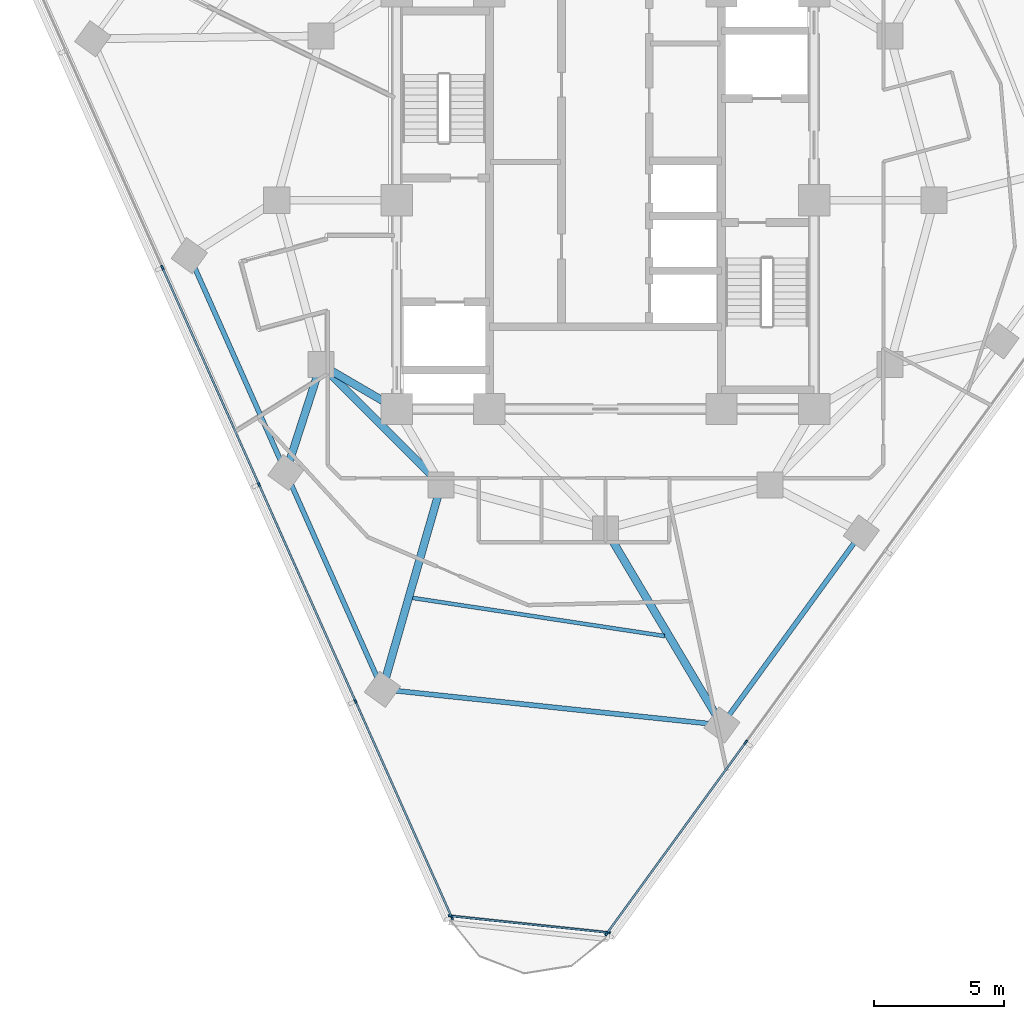
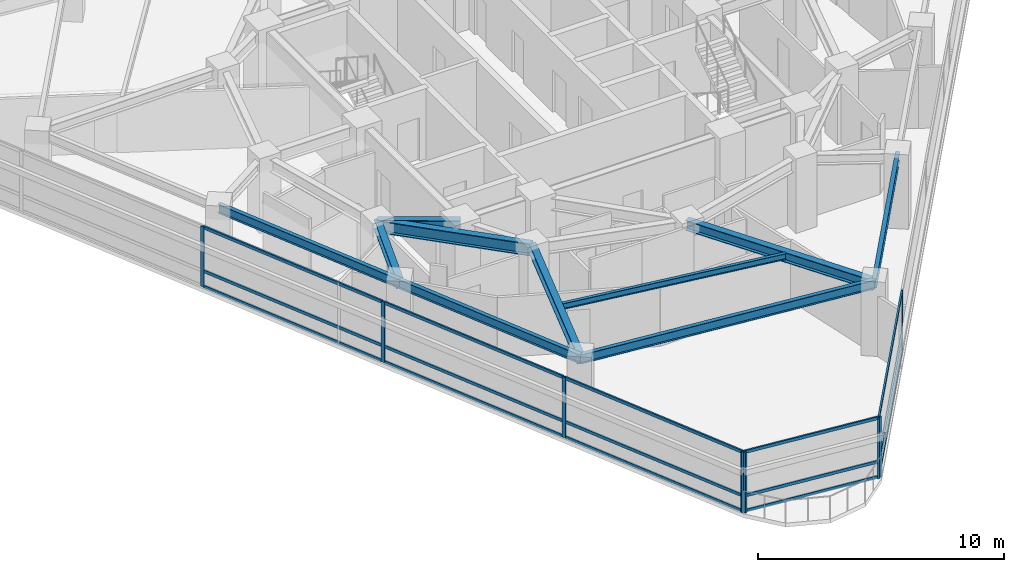
# One storey, part 2 of 14: 23 members, 10 beams, 3 elements without a shape of their own.
"""IFC4 building model written with IfcOpenShell, lengths in metres."""

from ifc_helpers import new_model, si_unit, direction, frame, origin, origin_2d, place, context, subcontext, project, spatial, rectangle, i_section, extrude, material, layer, layer_set, material_profile, profile_set, type_object, element, aggregate, save


model = new_model("IFC4")

# Units and contexts
model_context = context("Model", 3, precision=1e-05, world=origin(), true_north=direction((0.0, 1.0)))
body_context = subcontext(model_context, "Body", "Model", "MODEL_VIEW")
ifc_project = project(units=[si_unit("LENGTHUNIT", "METRE"), si_unit("AREAUNIT", "SQUARE_METRE"), si_unit("VOLUMEUNIT", "CUBIC_METRE"), si_unit("PLANEANGLEUNIT", "RADIAN"), si_unit("MASSUNIT", "GRAM", prefix="KILO")], contexts=[model_context])

# Site, building, storey
site_placement = place(None, origin())
site = spatial("IfcSite", under=ifc_project, at=site_placement, CompositionType="ELEMENT")
building_placement = place(site_placement, origin())
building = spatial("IfcBuilding", under=site, at=building_placement, Name="Terralouvre Media Tower", CompositionType="ELEMENT")
storey_placement = place(building_placement, frame((0.0, 0.0, 218.89990234375)))
storey = spatial("IfcBuildingStorey", under=building, at=storey_placement, Name="L56", CompositionType="ELEMENT", Elevation=218.89990234375)

# Beam
ifc_material_1 = material(Name="Structural steel S355J2", Category="steel")
ifc_material_profile_1 = material_profile(ifc_material_1, i_section(OverallWidth=0.14990234375, OverallDepth=0.300048828125, WebThickness=0.007080078125, FlangeThickness=0.0107421875, at=origin_2d()), Name="IPE 300")
ifc_profile_set_1 = profile_set([ifc_material_profile_1], Name="Structural steel S355J2")
beam_type_1 = type_object("IfcBeamType", Name="Composite Floor Joist J-IPE300 (IPE 300)", PredefinedType="JOIST", material=ifc_profile_set_1)
beam_1_placement = place(storey_placement, frame((-7.38818359375, -15.244140625, 3.35009765625), z_axis=(0.988745338641, -0.149608339726, 0.0), x_axis=(0.149608339726, 0.988745338641, 0.0)))
element("IfcBeam", 1, at=beam_1_placement, inside=storey, type_object=beam_type_1, Name="L56 Framing Beam JT-L56-01", PredefinedType="JOIST", context=body_context, shape_type="SweptSolid", body=[
    extrude(i_section(OverallWidth=0.14990234375, OverallDepth=0.300048828125, WebThickness=0.007080078125, FlangeThickness=0.0107421875, at=origin_2d()), origin(), (0.0, 0.0, 1.0), 9.763427734375),
])

# Curtain wall, members
ifc_material_2 = material(Name="Low-iron laminated double glazing with solar-control coating", Category="glass")
ifc_layer_1 = layer(ifc_material_2, 0.1650390625, Name="Upper Executive Tower Curtain Wall CW-05")
ifc_layer_set_1 = layer_set([ifc_layer_1], Name="Low-iron laminated double glazing with solar-control coating")
curtain_wall_type_1 = type_object("IfcCurtainWallType", Name="Upper Executive Tower Curtain Wall CW-05", PredefinedType="NOTDEFINED", material=ifc_layer_set_1)
curtain_wall_1_placement = place(storey_placement, origin())
curtain_wall_1 = element("IfcCurtainWall", 2, at=curtain_wall_1_placement, inside=storey, type_object=curtain_wall_type_1, Name="L56 Facade Curtain Wall F0", PredefinedType="NOTDEFINED")
ifc_material_3 = material(Name="Anodised extruded aluminium 6063-T6", Category="aluminium")
ifc_material_profile_2 = material_profile(ifc_material_3, rectangle(XDim=0.074951171875, YDim=0.14990234375, at=origin_2d()), Name="ALU 75x150")
ifc_profile_set_2 = profile_set([ifc_material_profile_2], Name="Anodised extruded aluminium 6063-T6")
member_type_1 = type_object("IfcMemberType", Name="Curtain-Wall Horizontal Transom TR-150", PredefinedType="USERDEFINED", material=ifc_profile_set_2)
member_1_placement = place(storey_placement, frame((0.072998046875, -28.0810546875, 0.03759765625), z_axis=(0.587774298355, 0.809024952763, 0.0), x_axis=(-0.809024952763, 0.587774298355, 0.0)))
member_1 = element("IfcMember", 3, at=member_1_placement, type_object=member_type_1, Name="CW-05 transom 1.1", ObjectType="TRANSOM", PredefinedType="USERDEFINED", context=body_context, shape_type="SweptSolid", body=[
    extrude(rectangle(XDim=0.074951171875, YDim=0.14990234375, at=origin_2d()), origin(), (0.0, 0.0, 1.0), 8.987548828125),
])
member_2_placement = place(storey_placement, frame((0.072998046875, -28.0810546875, 0.800048828125), z_axis=(0.587774298355, 0.809024952763, 0.0), x_axis=(-0.809024952763, 0.587774298355, 0.0)))
member_2 = element("IfcMember", 4, at=member_2_placement, type_object=member_type_1, Name="CW-05 transom 1.2", ObjectType="TRANSOM", PredefinedType="USERDEFINED", context=body_context, shape_type="SweptSolid", body=[
    extrude(rectangle(XDim=0.074951171875, YDim=0.14990234375, at=origin_2d()), origin(), (0.0, 0.0, 1.0), 8.987548828125),
])
member_3_placement = place(storey_placement, frame((0.072998046875, -28.0810546875, 2.962646484375), z_axis=(0.587774298355, 0.809024952763, 0.0), x_axis=(-0.809024952763, 0.587774298355, 0.0)))
member_3 = element("IfcMember", 5, at=member_3_placement, type_object=member_type_1, Name="CW-05 transom 1.3", ObjectType="TRANSOM", PredefinedType="USERDEFINED", context=body_context, shape_type="SweptSolid", body=[
    extrude(rectangle(XDim=0.074951171875, YDim=0.14990234375, at=origin_2d()), origin(), (0.0, 0.0, 1.0), 8.987548828125),
])

curtain_wall_2_placement = place(storey_placement, origin())
curtain_wall_2 = element("IfcCurtainWall", 6, at=curtain_wall_2_placement, inside=storey, type_object=curtain_wall_type_1, Name="L56 Facade Curtain Wall F2", PredefinedType="NOTDEFINED")
member_4_placement = place(storey_placement, frame((-16.968017578125, -2.614990234375, 0.03759765625), z_axis=(0.406740753437, -0.913543627581, 0.0), x_axis=(0.913543627581, 0.406740753437, 0.0)))
member_4 = element("IfcMember", 7, at=member_4_placement, type_object=member_type_1, Name="CW-05 transom 3.1", ObjectType="TRANSOM", PredefinedType="USERDEFINED", context=body_context, shape_type="SweptSolid", body=[
    extrude(rectangle(XDim=0.074951171875, YDim=0.14990234375, at=origin_2d()), origin(), (0.0, 0.0, 1.0), 9.025146484375),
])
member_5_placement = place(storey_placement, frame((-16.968017578125, -2.614990234375, 0.800048828125), z_axis=(0.406740753437, -0.913543627581, 0.0), x_axis=(0.913543627581, 0.406740753437, 0.0)))
member_5 = element("IfcMember", 8, at=member_5_placement, type_object=member_type_1, Name="CW-05 transom 3.2", ObjectType="TRANSOM", PredefinedType="USERDEFINED", context=body_context, shape_type="SweptSolid", body=[
    extrude(rectangle(XDim=0.074951171875, YDim=0.14990234375, at=origin_2d()), origin(), (0.0, 0.0, 1.0), 9.025146484375),
])
member_6_placement = place(storey_placement, frame((-16.968017578125, -2.614990234375, 2.962646484375), z_axis=(0.406740753437, -0.913543627581, 0.0), x_axis=(0.913543627581, 0.406740753437, 0.0)))
member_6 = element("IfcMember", 9, at=member_6_placement, type_object=member_type_1, Name="CW-05 transom 3.3", ObjectType="TRANSOM", PredefinedType="USERDEFINED", context=body_context, shape_type="SweptSolid", body=[
    extrude(rectangle(XDim=0.074951171875, YDim=0.14990234375, at=origin_2d()), origin(), (0.0, 0.0, 1.0), 9.025146484375),
])
member_7_placement = place(storey_placement, frame((-13.2666015625, -10.928466796875, 0.03759765625), z_axis=(0.406728228643, -0.913549203943, 0.0), x_axis=(0.913549203943, 0.406728228643, 0.0)))
member_7 = element("IfcMember", 10, at=member_7_placement, type_object=member_type_1, Name="CW-05 transom 4.1", ObjectType="TRANSOM", PredefinedType="USERDEFINED", context=body_context, shape_type="SweptSolid", body=[
    extrude(rectangle(XDim=0.074951171875, YDim=0.14990234375, at=origin_2d()), origin(), (0.0, 0.0, 1.0), 9.02490234375),
])
member_8_placement = place(storey_placement, frame((-13.2666015625, -10.928466796875, 0.800048828125), z_axis=(0.406728228643, -0.913549203943, 0.0), x_axis=(0.913549203943, 0.406728228643, 0.0)))
member_8 = element("IfcMember", 11, at=member_8_placement, type_object=member_type_1, Name="CW-05 transom 4.2", ObjectType="TRANSOM", PredefinedType="USERDEFINED", context=body_context, shape_type="SweptSolid", body=[
    extrude(rectangle(XDim=0.074951171875, YDim=0.14990234375, at=origin_2d()), origin(), (0.0, 0.0, 1.0), 9.02490234375),
])
member_9_placement = place(storey_placement, frame((-13.2666015625, -10.928466796875, 2.962646484375), z_axis=(0.406728228643, -0.913549203943, 0.0), x_axis=(0.913549203943, 0.406728228643, 0.0)))
member_9 = element("IfcMember", 12, at=member_9_placement, type_object=member_type_1, Name="CW-05 transom 4.3", ObjectType="TRANSOM", PredefinedType="USERDEFINED", context=body_context, shape_type="SweptSolid", body=[
    extrude(rectangle(XDim=0.074951171875, YDim=0.14990234375, at=origin_2d()), origin(), (0.0, 0.0, 1.0), 9.02490234375),
])
member_10_placement = place(storey_placement, frame((-9.5654296875, -19.24169921875, 0.03759765625), z_axis=(0.406735720677, -0.913545868321, 0.0), x_axis=(0.913545868321, 0.406735720677, 0.0)))
member_10 = element("IfcMember", 13, at=member_10_placement, type_object=member_type_1, Name="CW-05 transom 5.1", ObjectType="TRANSOM", PredefinedType="USERDEFINED", context=body_context, shape_type="SweptSolid", body=[
    extrude(rectangle(XDim=0.074951171875, YDim=0.14990234375, at=origin_2d()), origin(), (0.0, 0.0, 1.0), 8.987548828125),
])
member_11_placement = place(storey_placement, frame((-9.5654296875, -19.24169921875, 0.800048828125), z_axis=(0.406735720677, -0.913545868321, 0.0), x_axis=(0.913545868321, 0.406735720677, 0.0)))
member_11 = element("IfcMember", 14, at=member_11_placement, type_object=member_type_1, Name="CW-05 transom 5.2", ObjectType="TRANSOM", PredefinedType="USERDEFINED", context=body_context, shape_type="SweptSolid", body=[
    extrude(rectangle(XDim=0.074951171875, YDim=0.14990234375, at=origin_2d()), origin(), (0.0, 0.0, 1.0), 8.987548828125),
])
member_12_placement = place(storey_placement, frame((-9.5654296875, -19.24169921875, 2.962646484375), z_axis=(0.406735720677, -0.913545868321, 0.0), x_axis=(0.913545868321, 0.406735720677, 0.0)))
member_12 = element("IfcMember", 15, at=member_12_placement, type_object=member_type_1, Name="CW-05 transom 5.3", ObjectType="TRANSOM", PredefinedType="USERDEFINED", context=body_context, shape_type="SweptSolid", body=[
    extrude(rectangle(XDim=0.074951171875, YDim=0.14990234375, at=origin_2d()), origin(), (0.0, 0.0, 1.0), 8.987548828125),
])

ifc_material_4 = material(Name="Low-iron laminated double glazing with solar-control coating", Category="glass")
ifc_layer_2 = layer(ifc_material_4, 0.1650390625, Name="Rounded Wind-Corner Curved Glazing CW-04")
ifc_layer_set_2 = layer_set([ifc_layer_2], Name="Low-iron laminated double glazing with solar-control coating")
curtain_wall_type_2 = type_object("IfcCurtainWallType", Name="Rounded Wind-Corner Curved Glazing CW-04", PredefinedType="NOTDEFINED", material=ifc_layer_set_2)
curtain_wall_3_placement = place(storey_placement, origin())
curtain_wall_3 = element("IfcCurtainWall", 16, at=curtain_wall_3_placement, inside=storey, type_object=curtain_wall_type_2, Name="L56 Rounded Wind-Corner Curtain Wall C0", PredefinedType="NOTDEFINED")
member_13_placement = place(storey_placement, frame((-5.899658203125, -27.43798828125, 0.03759765625), z_axis=(0.994519048003, -0.104555550594, 0.0), x_axis=(0.104555550594, 0.994519048003, 0.0)))
member_13 = element("IfcMember", 17, at=member_13_placement, type_object=member_type_1, Name="CW-04 transom 1.1", ObjectType="TRANSOM", PredefinedType="USERDEFINED", context=body_context, shape_type="SweptSolid", body=[
    extrude(rectangle(XDim=0.074951171875, YDim=0.14990234375, at=origin_2d()), origin(), (0.0, 0.0, 1.0), 5.998779296875),
])
member_14_placement = place(storey_placement, frame((-5.899658203125, -27.43798828125, 0.800048828125), z_axis=(0.994519048003, -0.104555550594, 0.0), x_axis=(0.104555550594, 0.994519048003, 0.0)))
member_14 = element("IfcMember", 18, at=member_14_placement, type_object=member_type_1, Name="CW-04 transom 1.2", ObjectType="TRANSOM", PredefinedType="USERDEFINED", context=body_context, shape_type="SweptSolid", body=[
    extrude(rectangle(XDim=0.074951171875, YDim=0.14990234375, at=origin_2d()), origin(), (0.0, 0.0, 1.0), 5.998779296875),
])
member_15_placement = place(storey_placement, frame((-5.899658203125, -27.43798828125, 2.962646484375), z_axis=(0.994519048003, -0.104555550594, 0.0), x_axis=(0.104555550594, 0.994519048003, 0.0)))
member_15 = element("IfcMember", 19, at=member_15_placement, type_object=member_type_1, Name="CW-04 transom 1.3", ObjectType="TRANSOM", PredefinedType="USERDEFINED", context=body_context, shape_type="SweptSolid", body=[
    extrude(rectangle(XDim=0.074951171875, YDim=0.14990234375, at=origin_2d()), origin(), (0.0, 0.0, 1.0), 5.998779296875),
])

# Member
ifc_material_5 = material(Name="Anodised extruded aluminium 6063-T6", Category="aluminium")
ifc_material_profile_3 = material_profile(ifc_material_5, rectangle(XDim=0.074951171875, YDim=0.179931640625, at=origin_2d()), Name="ALU 75x180")
ifc_profile_set_3 = profile_set([ifc_material_profile_3], Name="Anodised extruded aluminium 6063-T6")
member_type_2 = type_object("IfcMemberType", Name="Curtain-Wall Vertical Mullion ML-180", PredefinedType="MULLION", material=ifc_profile_set_3)
member_16_placement = place(storey_placement, frame((0.051025390625, -28.111328125, 0.0), z_axis=(0.0, 0.0, 1.0), x_axis=(-0.809016959074, 0.587785300879, 0.0)))
member_16 = element("IfcMember", 20, at=member_16_placement, type_object=member_type_2, Name="CW-05 mullion 1", PredefinedType="MULLION", context=body_context, shape_type="SweptSolid", body=[
    extrude(rectangle(XDim=0.074951171875, YDim=0.179931640625, at=origin_2d()), origin(), (0.0, 0.0, 1.0), 3.0),
])

member_17_placement = place(storey_placement, frame((5.3779296875, -20.779541015625, 0.0), z_axis=(0.0, 0.0, 1.0), x_axis=(-0.809016959074, 0.587785300879, 0.0)))
member_17 = element("IfcMember", 21, at=member_17_placement, type_object=member_type_2, Name="CW-05 mullion 2", PredefinedType="MULLION", context=body_context, shape_type="SweptSolid", body=[
    extrude(rectangle(XDim=0.074951171875, YDim=0.179931640625, at=origin_2d()), origin(), (0.0, 0.0, 1.0), 3.0),
])

aggregate(curtain_wall_1, [member_16, member_17, member_1, member_2, member_3])

member_18_placement = place(storey_placement, frame((-16.983154296875, -2.580810546875, 0.0), z_axis=(0.0, 0.0, 1.0), x_axis=(0.913545441365, 0.406736679636, 0.0)))
member_18 = element("IfcMember", 22, at=member_18_placement, type_object=member_type_2, Name="CW-05 mullion 3", PredefinedType="MULLION", context=body_context, shape_type="SweptSolid", body=[
    extrude(rectangle(XDim=0.074951171875, YDim=0.179931640625, at=origin_2d()), origin(), (0.0, 0.0, 1.0), 3.0),
])

member_19_placement = place(storey_placement, frame((-13.281982421875, -10.89404296875, 0.0), z_axis=(0.0, 0.0, 1.0), x_axis=(0.913545441365, 0.406736679636, 0.0)))
member_19 = element("IfcMember", 23, at=member_19_placement, type_object=member_type_2, Name="CW-05 mullion 4", PredefinedType="MULLION", context=body_context, shape_type="SweptSolid", body=[
    extrude(rectangle(XDim=0.074951171875, YDim=0.179931640625, at=origin_2d()), origin(), (0.0, 0.0, 1.0), 3.0),
])

member_20_placement = place(storey_placement, frame((-9.58056640625, -19.207275390625, 0.0), z_axis=(0.0, 0.0, 1.0), x_axis=(0.913545441365, 0.406736679636, 0.0)))
member_20 = element("IfcMember", 24, at=member_20_placement, type_object=member_type_2, Name="CW-05 mullion 5", PredefinedType="MULLION", context=body_context, shape_type="SweptSolid", body=[
    extrude(rectangle(XDim=0.074951171875, YDim=0.179931640625, at=origin_2d()), origin(), (0.0, 0.0, 1.0), 3.0),
])

member_21_placement = place(storey_placement, frame((-5.89453125, -27.486328125, 0.0), z_axis=(0.0, 0.0, 1.0), x_axis=(0.913545441365, 0.406736679636, 0.0)))
member_21 = element("IfcMember", 25, at=member_21_placement, type_object=member_type_2, Name="CW-05 mullion 6", PredefinedType="MULLION", context=body_context, shape_type="SweptSolid", body=[
    extrude(rectangle(XDim=0.074951171875, YDim=0.179931640625, at=origin_2d()), origin(), (0.0, 0.0, 1.0), 3.0),
])

aggregate(curtain_wall_2, [member_18, member_19, member_20, member_21, member_4, member_5, member_6, member_7, member_8, member_9, member_10, member_11, member_12])

member_22_placement = place(storey_placement, frame((-5.93701171875, -27.43408203125, 0.0), z_axis=(0.0, 0.0, 1.0), x_axis=(0.104527995322, 0.994521944551, 0.0)))
member_22 = element("IfcMember", 26, at=member_22_placement, type_object=member_type_2, Name="CW-04 mullion 1", PredefinedType="MULLION", context=body_context, shape_type="SweptSolid", body=[
    extrude(rectangle(XDim=0.074951171875, YDim=0.179931640625, at=origin_2d()), origin(), (0.0, 0.0, 1.0), 3.0),
])

member_23_placement = place(storey_placement, frame((0.103515625, -28.069091796875, 0.0), z_axis=(0.0, 0.0, 1.0), x_axis=(0.104527995322, 0.994521944551, 0.0)))
member_23 = element("IfcMember", 27, at=member_23_placement, type_object=member_type_2, Name="CW-04 mullion 2", PredefinedType="MULLION", context=body_context, shape_type="SweptSolid", body=[
    extrude(rectangle(XDim=0.074951171875, YDim=0.179931640625, at=origin_2d()), origin(), (0.0, 0.0, 1.0), 3.0),
])

aggregate(curtain_wall_3, [member_22, member_23, member_13, member_14, member_15])

# Beams
ifc_material_6 = material(Name="Structural steel S355J2", Category="steel")
ifc_material_profile_4 = material_profile(ifc_material_6, i_section(OverallWidth=0.18994140625, OverallDepth=0.449951171875, WebThickness=0.009521484375, FlangeThickness=0.0146484375, at=origin_2d()), Name="IPE 450")
ifc_profile_set_4 = profile_set([ifc_material_profile_4], Name="Structural steel S355J2")
beam_type_2 = type_object("IfcBeamType", Name="Perimeter Spandrel Beam SPB-450 (IPE 450)", PredefinedType="SPANDREL", material=ifc_profile_set_4)
beam_2_placement = place(storey_placement, frame((-15.950927734375, -2.121337890625, 3.275146484375), z_axis=(0.406725851667, -0.913550262211, 0.0), x_axis=(0.913550262211, 0.406725851667, 0.0)))
element("IfcBeam", 28, at=beam_2_placement, inside=storey, type_object=beam_type_2, Name="L56 Framing Beam BM-L56-PR01", PredefinedType="SPANDREL", context=body_context, shape_type="SweptSolid", body=[
    extrude(i_section(OverallWidth=0.18994140625, OverallDepth=0.449951171875, WebThickness=0.009521484375, FlangeThickness=0.0146484375, at=origin_2d()), origin(), (0.0, 0.0, 1.0), 9.099853515625),
])
beam_3_placement = place(storey_placement, frame((-12.249755859375, -10.4345703125, 3.275146484375), z_axis=(0.40674824199, -0.913540293385, 0.0), x_axis=(0.913540293385, 0.40674824199, 0.0)))
element("IfcBeam", 29, at=beam_3_placement, inside=storey, type_object=beam_type_2, Name="L56 Framing Beam BM-L56-PR02", PredefinedType="SPANDREL", context=body_context, shape_type="SweptSolid", body=[
    extrude(i_section(OverallWidth=0.18994140625, OverallDepth=0.449951171875, WebThickness=0.009521484375, FlangeThickness=0.0146484375, at=origin_2d()), origin(), (0.0, 0.0, 1.0), 9.10009765625),
])
beam_4_placement = place(storey_placement, frame((-8.54833984375, -18.747802734375, 3.275146484375), z_axis=(0.994521391833, -0.104533253974, 0.0), x_axis=(0.104533253974, 0.994521391833, 0.0)))
element("IfcBeam", 30, at=beam_4_placement, inside=storey, type_object=beam_type_2, Name="L56 Framing Beam BM-L56-PR03", PredefinedType="SPANDREL", context=body_context, shape_type="SweptSolid", body=[
    extrude(i_section(OverallWidth=0.18994140625, OverallDepth=0.449951171875, WebThickness=0.009521484375, FlangeThickness=0.0146484375, at=origin_2d()), origin(), (0.0, 0.0, 1.0), 13.083740234375),
])
beam_5_placement = place(storey_placement, frame((4.463623046875, -20.115478515625, 3.275146484375), z_axis=(0.587787185033, 0.809015590153, 0.0), x_axis=(-0.809015590153, 0.587787185033, 0.0)))
element("IfcBeam", 31, at=beam_5_placement, inside=storey, type_object=beam_type_2, Name="L56 Framing Beam BM-L56-PR04", PredefinedType="SPANDREL", context=body_context, shape_type="SweptSolid", body=[
    extrude(i_section(OverallWidth=0.18994140625, OverallDepth=0.449951171875, WebThickness=0.009521484375, FlangeThickness=0.0146484375, at=origin_2d()), origin(), (0.0, 0.0, 1.0), 9.10009765625),
])
ifc_material_7 = material(Name="Structural steel S355J2", Category="steel")
ifc_material_profile_5 = material_profile(ifc_material_7, i_section(OverallWidth=0.300048828125, OverallDepth=0.5, WebThickness=0.014404296875, FlangeThickness=0.028076171875, at=origin_2d()), Name="HEB 500")
ifc_profile_set_5 = profile_set([ifc_material_profile_5], Name="Structural steel S355J2")
beam_type_3 = type_object("IfcBeamType", Name="Primary Floor Girder B-HEB500 (HEB 500)", PredefinedType="BEAM", material=ifc_profile_set_5)
beam_6_placement = place(storey_placement, frame((-10.911865234375, -6.300048828125, 3.25), z_axis=(-0.307872638555, -0.951427579183, 0.0), x_axis=(0.951427579183, -0.307872638555, 0.0)))
element("IfcBeam", 32, at=beam_6_placement, inside=storey, type_object=beam_type_3, Name="L56 Framing Beam BM-L56-RD02", PredefinedType="BEAM", context=body_context, shape_type="SweptSolid", body=[
    extrude(i_section(OverallWidth=0.300048828125, OverallDepth=0.5, WebThickness=0.014404296875, FlangeThickness=0.028076171875, at=origin_2d()), origin(), (0.0, 0.0, 1.0), 4.345703125),
])
beam_7_placement = place(storey_placement, frame((-6.300048828125, -10.911865234375, 3.25), z_axis=(-0.275792876342, -0.96121708753, 0.0), x_axis=(0.96121708753, -0.275792876342, 0.0)))
element("IfcBeam", 33, at=beam_7_placement, inside=storey, type_object=beam_type_3, Name="L56 Framing Beam BM-L56-RD03", PredefinedType="BEAM", context=body_context, shape_type="SweptSolid", body=[
    extrude(i_section(OverallWidth=0.300048828125, OverallDepth=0.5, WebThickness=0.014404296875, FlangeThickness=0.028076171875, at=origin_2d()), origin(), (0.0, 0.0, 1.0), 8.152099609375),
])
beam_8_placement = place(storey_placement, frame((0.0, -12.60009765625, 3.25), z_axis=(0.510654263047, -0.859786149942, 0.0), x_axis=(0.859786149942, 0.510654263047, 0.0)))
element("IfcBeam", 34, at=beam_8_placement, inside=storey, type_object=beam_type_3, Name="L56 Framing Beam BM-L56-RD04", PredefinedType="BEAM", context=body_context, shape_type="SweptSolid", body=[
    extrude(i_section(OverallWidth=0.300048828125, OverallDepth=0.5, WebThickness=0.014404296875, FlangeThickness=0.028076171875, at=origin_2d()), origin(), (0.0, 0.0, 1.0), 8.740966796875),
])
ifc_material_8 = material(Name="Structural steel S460M", Category="steel")
ifc_material_profile_6 = material_profile(ifc_material_8, i_section(OverallWidth=0.300048828125, OverallDepth=0.60009765625, WebThickness=0.015380859375, FlangeThickness=0.030029296875, at=origin_2d()), Name="HEB 600")
ifc_profile_set_6 = profile_set([ifc_material_profile_6], Name="Structural steel S460M")
beam_type_4 = type_object("IfcBeamType", Name="Primary Floor Girder B-HEB600 (HEB 600)", PredefinedType="BEAM", material=ifc_profile_set_6)
beam_9_placement = place(storey_placement, frame((-10.911865234375, -6.300048828125, 3.2001953125), z_axis=(0.707106781187, -0.707106781187, 0.0), x_axis=(0.707106781187, 0.707106781187, 0.0)))
element("IfcBeam", 35, at=beam_9_placement, inside=storey, type_object=beam_type_4, Name="L56 Framing Beam BM-L56-MR01", PredefinedType="BEAM", context=body_context, shape_type="SweptSolid", body=[
    extrude(i_section(OverallWidth=0.300048828125, OverallDepth=0.60009765625, WebThickness=0.015380859375, FlangeThickness=0.030029296875, at=origin_2d()), origin(), (0.0, 0.0, 1.0), 6.52197265625),
])
beam_10_placement = place(storey_placement, frame((-8.0, -8.0, 3.2001953125), z_axis=(-0.863602894532, 0.504172629717, 0.0), x_axis=(-0.504172629717, -0.863602894532, 0.0)))
element("IfcBeam", 36, at=beam_10_placement, inside=storey, type_object=beam_type_4, Name="L56 Framing Beam BM-L56-CM01", PredefinedType="BEAM", context=body_context, shape_type="SweptSolid", body=[
    extrude(i_section(OverallWidth=0.300048828125, OverallDepth=0.60009765625, WebThickness=0.015380859375, FlangeThickness=0.030029296875, at=origin_2d()), origin(), (0.0, 0.0, 1.0), 3.371826171875),
])

save(model, "model.ifc")
